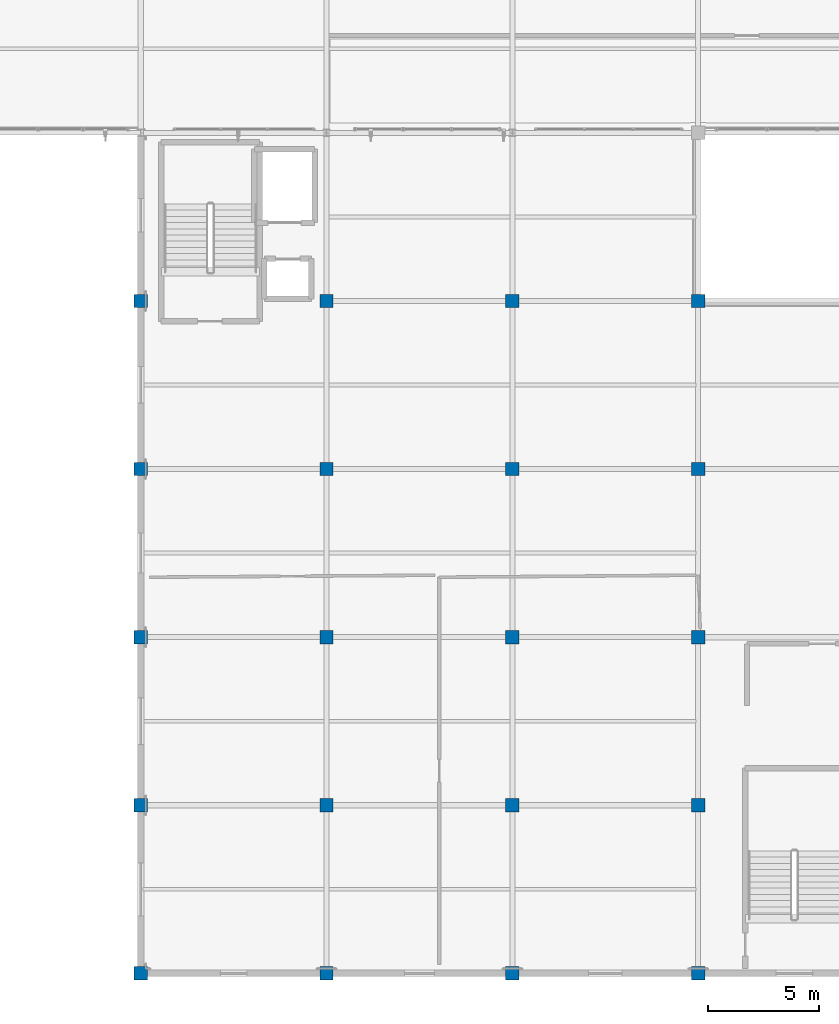
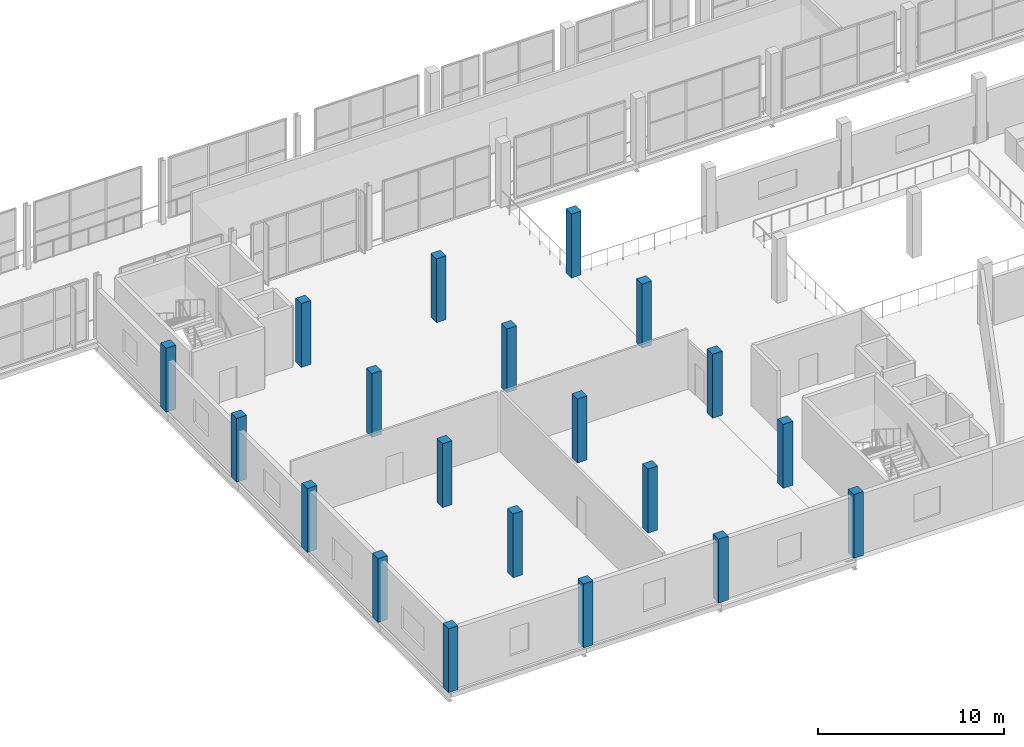
# One storey, part 1 of 151: 20 columns.
"""IFC4 building model written with IfcOpenShell, lengths in metres."""

from ifc_helpers import new_model, si_unit, direction, frame, origin, origin_2d, place, context, subcontext, project, spatial, rectangle, extrude, material, material_profile, profile_set, type_object, element, save


model = new_model("IFC4")

# Units and contexts
model_context = context("Model", 3, precision=1e-05, world=origin(), true_north=direction((0.0, 1.0)))
body_context = subcontext(model_context, "Body", "Model", "MODEL_VIEW")
ifc_project = project(units=[si_unit("LENGTHUNIT", "METRE"), si_unit("AREAUNIT", "SQUARE_METRE"), si_unit("VOLUMEUNIT", "CUBIC_METRE"), si_unit("PLANEANGLEUNIT", "RADIAN"), si_unit("MASSUNIT", "GRAM", prefix="KILO")], contexts=[model_context])

# Site, building, storey
site_placement = place(None, origin())
site = spatial("IfcSite", under=ifc_project, at=site_placement, CompositionType="ELEMENT")
building_placement = place(site_placement, origin())
building = spatial("IfcBuilding", under=site, at=building_placement, Name="Zuvorla Pavilion Media Centre", CompositionType="ELEMENT")
storey_placement = place(building_placement, frame((0.0, 0.0, 13.800048828125)))
storey = spatial("IfcBuildingStorey", under=building, at=storey_placement, Name="L03", CompositionType="ELEMENT", Elevation=13.800048828125)

# Columns
ifc_material = material(Name="Concrete C40/50", Category="concrete")
ifc_material_profile = material_profile(ifc_material, rectangle(XDim=0.60009765625, YDim=0.60009765625, at=origin_2d()), Name="RC 600x600")
ifc_profile_set = profile_set([ifc_material_profile], Name="Concrete C40/50")
column_type = type_object("IfcColumnType", Name="COL-RC600", PredefinedType="COLUMN", material=ifc_profile_set)
for number, where, z_axis, x_axis, name in (
    (1, (41.60009765625, 6.0, 0.0), (0.0, 0.0, 1.0), (1.0, 0.0, 0.0), "L03 column C03 14"),
    (2, (50.0, 6.0, 0.0), (0.0, 0.0, 1.0), (1.0, 0.0, 0.0), "L03 column C03 19"),
    (3, (58.39990234375, 6.0, 0.0), (0.0, 0.0, 1.0), (1.0, 0.0, 0.0), "L03 column C03 24"),
    (4, (66.800048828125, 6.0, 0.0), (0.0, 0.0, 1.0), (1.0, 0.0, 0.0), "L03 column C03 29"),
    (5, (41.60009765625, 13.60009765625, 0.0), (0.0, 0.0, 1.0), (1.0, 0.0, 0.0), "L03 column C03 112"),
    (6, (50.0, 13.60009765625, 0.0), (0.0, 0.0, 1.0), (1.0, 0.0, 0.0), "L03 column C03 117"),
    (7, (58.39990234375, 13.60009765625, 0.0), (0.0, 0.0, 1.0), (1.0, 0.0, 0.0), "L03 column C03 122"),
    (8, (66.800048828125, 13.60009765625, 0.0), (0.0, 0.0, 1.0), (1.0, 0.0, 0.0), "L03 column C03 127"),
    (9, (41.60009765625, 21.199951171875, 0.0), (0.0, 0.0, 1.0), (1.0, 0.0, 0.0), "L03 column C03 210"),
    (10, (50.0, 21.199951171875, 0.0), (0.0, 0.0, 1.0), (1.0, 0.0, 0.0), "L03 column C03 216"),
    (11, (58.39990234375, 21.199951171875, 0.0), (0.0, 0.0, 1.0), (1.0, 0.0, 0.0), "L03 column C03 222"),
    (12, (66.800048828125, 21.199951171875, 0.0), (0.0, 0.0, 1.0), (1.0, 0.0, 0.0), "L03 column C03 228"),
    (13, (41.60009765625, 28.800048828125, 0.0), (0.0, 0.0, 1.0), (1.0, 0.0, 0.0), "L03 column C03 297"),
    (14, (50.0, 28.800048828125, 0.0), (0.0, 0.0, 1.0), (1.0, 0.0, 0.0), "L03 column C03 303"),
    (15, (58.39990234375, 28.800048828125, 0.0), (0.0, 0.0, 1.0), (1.0, 0.0, 0.0), "L03 column C03 309"),
    (16, (66.800048828125, 28.800048828125, 0.0), (0.0, 0.0, 1.0), (1.0, 0.0, 0.0), "L03 column C03 315"),
    (17, (41.60009765625, 36.39990234375, 0.0), (0.0, 0.0, 1.0), (1.0, 0.0, 0.0), "L03 column C03 387"),
    (18, (50.0, 36.39990234375, 0.0), (0.0, 0.0, 1.0), (1.0, 0.0, 0.0), "L03 column C03 393"),
    (19, (58.39990234375, 36.39990234375, 0.0), (0.0, 0.0, 1.0), (1.0, 0.0, 0.0), "L03 column C03 399"),
    (20, (66.800048828125, 36.39990234375, 0.0), (0.0, 0.0, 1.0), (1.0, 0.0, 0.0), "L03 column C03 405"),
):
    element("IfcColumn", number, at=place(storey_placement, frame(where, z_axis=z_axis, x_axis=x_axis)), inside=storey, type_object=column_type, Name=name, PredefinedType="COLUMN", context=body_context, shape_type="SweptSolid", body=[
        extrude(rectangle(XDim=0.60009765625, YDim=0.60009765625, at=origin_2d()), origin(), (0.0, 0.0, 1.0), 4.199951171875),
    ])

save(model, "model.ifc")
